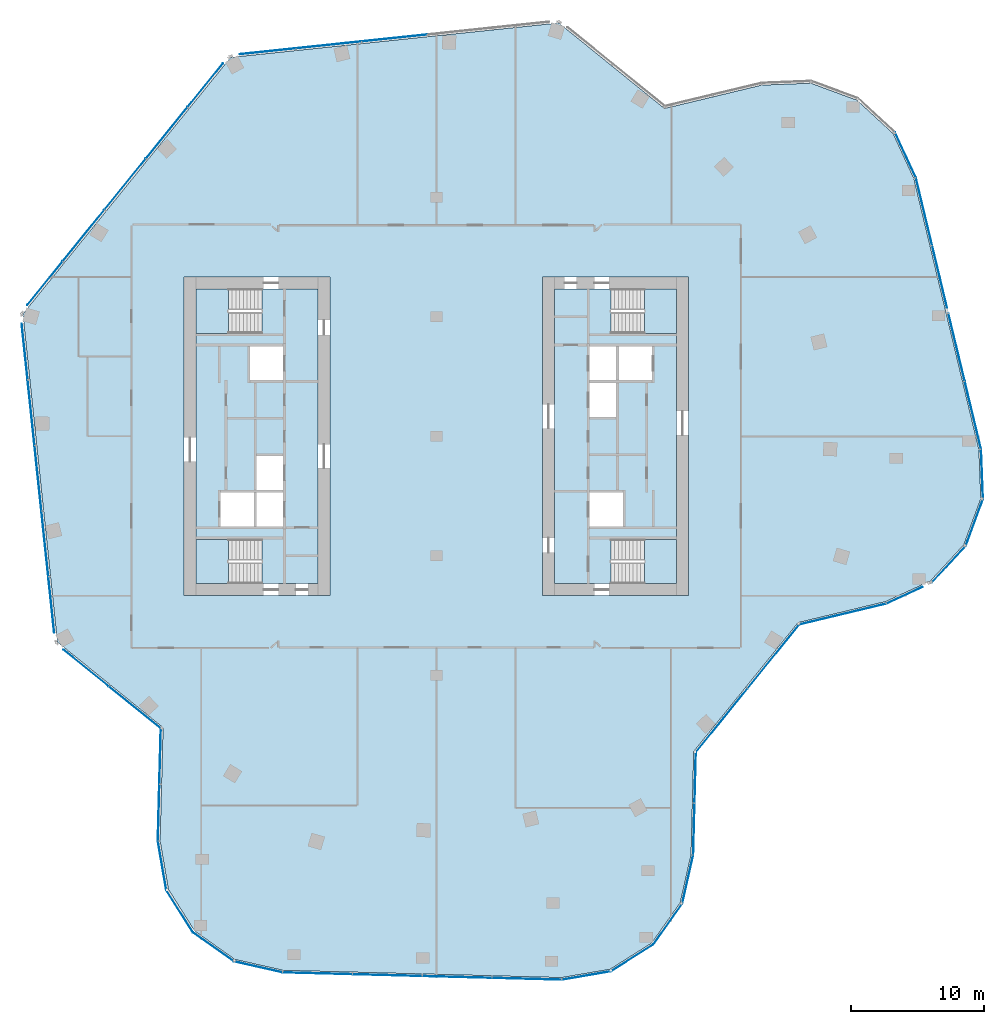
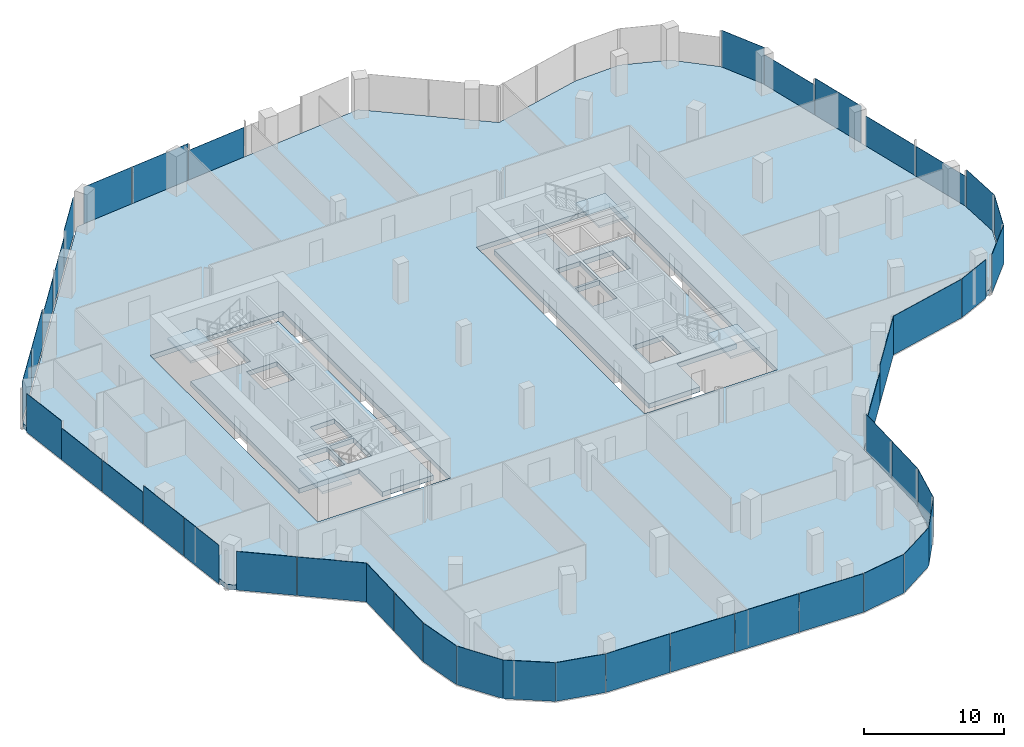
# One storey, part 16 of 23: 43 plates, 7 slabs, 27 elements without a shape of their own.
"""IFC4 building model written with IfcOpenShell, lengths in metres."""

from ifc_helpers import new_model, si_unit, direction, frame, origin, origin_2d, place, context, subcontext, project, spatial, polyline, rectangle, outline, extrude, material, layer, layer_set, type_object, element, aggregate, save


model = new_model("IFC4")

# Units and contexts
model_context = context("Model", 3, precision=1e-05, world=origin(), true_north=direction((0.0, 1.0)))
body_context = subcontext(model_context, "Body", "Model", "MODEL_VIEW")
ifc_project = project(units=[si_unit("LENGTHUNIT", "METRE"), si_unit("AREAUNIT", "SQUARE_METRE"), si_unit("VOLUMEUNIT", "CUBIC_METRE"), si_unit("PLANEANGLEUNIT", "RADIAN"), si_unit("MASSUNIT", "GRAM", prefix="KILO")], contexts=[model_context])

# Site, building, storey
site_placement = place(None, origin())
site = spatial("IfcSite", under=ifc_project, at=site_placement, CompositionType="ELEMENT")
building_placement = place(site_placement, origin())
building = spatial("IfcBuilding", under=site, at=building_placement, Name="Orlundy Tower", CompositionType="ELEMENT")
storey_placement = place(building_placement, frame((0.0, 0.0, 224.5)))
storey = spatial("IfcBuildingStorey", under=building, at=storey_placement, Name="L59", CompositionType="ELEMENT", Elevation=224.5)

# Curtain wall, plates
ifc_material_1 = material(Name="Aluminium bronze anodised", Category="aluminium")
curtain_wall_type = type_object("IfcCurtainWallType", Name="CW1 wall", PredefinedType="NOTDEFINED", material=ifc_material_1)
curtain_wall_1_placement = place(storey_placement, origin())
curtain_wall_1 = element("IfcCurtainWall", 1, at=curtain_wall_1_placement, inside=storey, type_object=curtain_wall_type, Name="CW1 run 00", PredefinedType="NOTDEFINED")
ifc_material_2 = material(Name="Tinted glass", Category="glass")
ifc_layer_1 = layer(ifc_material_2, 0.031982421875)
ifc_layer_set_1 = layer_set([ifc_layer_1], Name="CW1 glass panel 32")
plate_type = type_object("IfcPlateType", Name="CW1 glass panel 32", PredefinedType="CURTAIN_PANEL", material=ifc_layer_set_1)
plate_1_placement = place(storey_placement, frame((-20.9130859375, -28.337158203125, -0.300048828125), z_axis=(0.0, 0.0, 1.0), x_axis=(0.026251208042, 0.999655377656, 0.0)))
plate_1 = element("IfcPlate", 2, at=plate_1_placement, type_object=plate_type, Name="CW1 panel", PredefinedType="CURTAIN_PANEL", context=body_context, shape_type="SweptSolid", body=[
    extrude(rectangle(XDim=4.232421875, YDim=0.031982421875, at=origin_2d()), origin(), (0.0, 0.0, 1.0), 3.3798828125),
])
plate_2_placement = place(storey_placement, frame((-20.8017578125, -24.092041015625, -0.300048828125), z_axis=(0.0, 0.0, 1.0), x_axis=(0.026251208042, 0.999655377656, 0.0)))
plate_2 = element("IfcPlate", 3, at=plate_2_placement, type_object=plate_type, Name="CW1 panel", PredefinedType="CURTAIN_PANEL", context=body_context, shape_type="SweptSolid", body=[
    extrude(rectangle(XDim=4.16064453125, YDim=0.031982421875, at=origin_2d()), origin(), (0.0, 0.0, 1.0), 3.3798828125),
])
aggregate(curtain_wall_1, [plate_1, plate_2])

curtain_wall_2_placement = place(storey_placement, origin())
curtain_wall_2 = element("IfcCurtainWall", 4, at=curtain_wall_2_placement, inside=storey, type_object=curtain_wall_type, Name="CW1 run 01", PredefinedType="NOTDEFINED")
plate_3_placement = place(storey_placement, frame((-22.69482421875, -20.435302734375, -0.300048828125), z_axis=(0.0, 0.0, 1.0), x_axis=(-0.77717662091, 0.629282527892, 0.0)))
plate_3 = element("IfcPlate", 5, at=plate_3_placement, type_object=plate_type, Name="CW1 panel", PredefinedType="CURTAIN_PANEL", context=body_context, shape_type="SweptSolid", body=[
    extrude(rectangle(XDim=5.0126953125, YDim=0.031982421875, at=origin_2d()), origin(), (0.0, 0.0, 1.0), 3.3798828125),
])
plate_4_placement = place(storey_placement, frame((-26.38232421875, -17.44970703125, -0.300048828125), z_axis=(0.0, 0.0, 1.0), x_axis=(-0.77717662091, 0.629282527892, 0.0)))
plate_4 = element("IfcPlate", 6, at=plate_4_placement, type_object=plate_type, Name="CW1 panel", PredefinedType="CURTAIN_PANEL", context=body_context, shape_type="SweptSolid", body=[
    extrude(rectangle(XDim=4.376708984375, YDim=0.031982421875, at=origin_2d()), origin(), (0.0, 0.0, 1.0), 3.3798828125),
])
aggregate(curtain_wall_2, [plate_3, plate_4])

curtain_wall_3_placement = place(storey_placement, origin())
curtain_wall_3 = element("IfcCurtainWall", 7, at=curtain_wall_3_placement, inside=storey, type_object=curtain_wall_type, Name="CW1 run 02", PredefinedType="NOTDEFINED")
plate_5_placement = place(storey_placement, frame((-28.99609375, -12.695556640625, -0.300048828125), z_axis=(0.0, 0.0, 1.0), x_axis=(-0.104538162943, 0.994520875843, 0.0)))
plate_5 = element("IfcPlate", 8, at=plate_5_placement, type_object=plate_type, Name="CW1 panel", PredefinedType="CURTAIN_PANEL", context=body_context, shape_type="SweptSolid", body=[
    extrude(rectangle(XDim=4.228759765625, YDim=0.031982421875, at=origin_2d()), origin(), (0.0, 0.0, 1.0), 3.3798828125),
])
plate_6_placement = place(storey_placement, frame((-29.4794921875, -8.096435546875, -0.300048828125), z_axis=(0.0, 0.0, 1.0), x_axis=(-0.104538162943, 0.994520875843, 0.0)))
plate_6 = element("IfcPlate", 9, at=plate_6_placement, type_object=plate_type, Name="CW1 panel", PredefinedType="CURTAIN_PANEL", context=body_context, shape_type="SweptSolid", body=[
    extrude(rectangle(XDim=4.92041015625, YDim=0.031982421875, at=origin_2d()), origin(), (0.0, 0.0, 1.0), 3.3798828125),
])
plate_7_placement = place(storey_placement, frame((-29.9990234375, -3.153076171875, -0.2998046875), z_axis=(0.0, 0.0, 1.0), x_axis=(-0.104538162943, 0.994520875843, 0.0)))
plate_7 = element("IfcPlate", 10, at=plate_7_placement, type_object=plate_type, Name="CW1 panel", PredefinedType="CURTAIN_PANEL", context=body_context, shape_type="SweptSolid", body=[
    extrude(rectangle(XDim=4.92041015625, YDim=0.031982421875, at=origin_2d()), origin(), (0.0, 0.0, 1.0), 2.763916015625),
])
plate_8_placement = place(storey_placement, frame((-30.518798828125, 1.7900390625, -0.2998046875), z_axis=(0.0, 0.0, 1.0), x_axis=(-0.104538162943, 0.994520875843, 0.0)))
plate_8 = element("IfcPlate", 11, at=plate_8_placement, type_object=plate_type, Name="CW1 panel", PredefinedType="CURTAIN_PANEL", context=body_context, shape_type="SweptSolid", body=[
    extrude(rectangle(XDim=4.92041015625, YDim=0.031982421875, at=origin_2d()), origin(), (0.0, 0.0, 1.0), 2.763916015625),
])
plate_9_placement = place(storey_placement, frame((-31.002197265625, 6.3896484375, -0.300048828125), z_axis=(0.0, 0.0, 1.0), x_axis=(-0.104538162943, 0.994520875843, 0.0)))
plate_9 = element("IfcPlate", 12, at=plate_9_placement, type_object=plate_type, Name="CW1 panel", PredefinedType="CURTAIN_PANEL", context=body_context, shape_type="SweptSolid", body=[
    extrude(rectangle(XDim=4.229248046875, YDim=0.031982421875, at=origin_2d()), origin(), (0.0, 0.0, 1.0), 3.3798828125),
])
aggregate(curtain_wall_3, [plate_5, plate_6, plate_7, plate_8, plate_9])

curtain_wall_4_placement = place(storey_placement, origin())
curtain_wall_4 = element("IfcCurtainWall", 13, at=curtain_wall_4_placement, inside=storey, type_object=curtain_wall_type, Name="CW1 run 03", PredefinedType="NOTDEFINED")
plate_10_placement = place(storey_placement, frame((-29.48046875, 11.525634765625, -0.300048828125), z_axis=(0.0, 0.0, 1.0), x_axis=(0.629320911043, 0.777145540374, 0.0)))
plate_10 = element("IfcPlate", 14, at=plate_10_placement, type_object=plate_type, Name="CW1 panel", PredefinedType="CURTAIN_PANEL", context=body_context, shape_type="SweptSolid", body=[
    extrude(rectangle(XDim=4.228271484375, YDim=0.031982421875, at=origin_2d()), origin(), (0.0, 0.0, 1.0), 3.3798828125),
])
plate_11_placement = place(storey_placement, frame((-26.570068359375, 15.11962890625, -0.300048828125), z_axis=(0.0, 0.0, 1.0), x_axis=(0.629320911043, 0.777145540374, 0.0)))
plate_11 = element("IfcPlate", 15, at=plate_11_placement, type_object=plate_type, Name="CW1 panel", PredefinedType="CURTAIN_PANEL", context=body_context, shape_type="SweptSolid", body=[
    extrude(rectangle(XDim=4.920654296875, YDim=0.031982421875, at=origin_2d()), origin(), (0.0, 0.0, 1.0), 3.3798828125),
])
plate_12_placement = place(storey_placement, frame((-23.44189453125, 18.982666015625, -0.2998046875), z_axis=(0.0, 0.0, 1.0), x_axis=(0.629320911043, 0.777145540374, 0.0)))
plate_12 = element("IfcPlate", 16, at=plate_12_placement, type_object=plate_type, Name="CW1 panel", PredefinedType="CURTAIN_PANEL", context=body_context, shape_type="SweptSolid", body=[
    extrude(rectangle(XDim=4.920654296875, YDim=0.031982421875, at=origin_2d()), origin(), (0.0, 0.0, 1.0), 2.763916015625),
])
plate_13_placement = place(storey_placement, frame((-20.313720703125, 22.845703125, -0.2998046875), z_axis=(0.0, 0.0, 1.0), x_axis=(0.629320911043, 0.777145540374, 0.0)))
plate_13 = element("IfcPlate", 17, at=plate_13_placement, type_object=plate_type, Name="CW1 panel", PredefinedType="CURTAIN_PANEL", context=body_context, shape_type="SweptSolid", body=[
    extrude(rectangle(XDim=4.920654296875, YDim=0.031982421875, at=origin_2d()), origin(), (0.0, 0.0, 1.0), 2.763916015625),
])
plate_14_placement = place(storey_placement, frame((-17.4033203125, 26.43994140625, -0.300048828125), z_axis=(0.0, 0.0, 1.0), x_axis=(0.629320911043, 0.777145540374, 0.0)))
plate_14 = element("IfcPlate", 18, at=plate_14_placement, type_object=plate_type, Name="CW1 panel", PredefinedType="CURTAIN_PANEL", context=body_context, shape_type="SweptSolid", body=[
    extrude(rectangle(XDim=4.22900390625, YDim=0.031982421875, at=origin_2d()), origin(), (0.0, 0.0, 1.0), 3.3798828125),
])
aggregate(curtain_wall_4, [plate_10, plate_11, plate_12, plate_13, plate_14])

curtain_wall_5_placement = place(storey_placement, origin())
curtain_wall_5 = element("IfcCurtainWall", 19, at=curtain_wall_5_placement, inside=storey, type_object=curtain_wall_type, Name="CW1 run 04", PredefinedType="NOTDEFINED")
plate_15_placement = place(storey_placement, frame((-12.695556640625, 28.99609375, -0.300048828125), z_axis=(0.0, 0.0, 1.0), x_axis=(0.994520875843, 0.104538162943, 0.0)))
plate_15 = element("IfcPlate", 20, at=plate_15_placement, type_object=plate_type, Name="CW1 panel", PredefinedType="CURTAIN_PANEL", context=body_context, shape_type="SweptSolid", body=[
    extrude(rectangle(XDim=4.228759765625, YDim=0.031982421875, at=origin_2d()), origin(), (0.0, 0.0, 1.0), 3.3798828125),
])
plate_16_placement = place(storey_placement, frame((-8.096435546875, 29.4794921875, -0.300048828125), z_axis=(0.0, 0.0, 1.0), x_axis=(0.994520875843, 0.104538162943, 0.0)))
plate_16 = element("IfcPlate", 21, at=plate_16_placement, type_object=plate_type, Name="CW1 panel", PredefinedType="CURTAIN_PANEL", context=body_context, shape_type="SweptSolid", body=[
    extrude(rectangle(XDim=4.92041015625, YDim=0.031982421875, at=origin_2d()), origin(), (0.0, 0.0, 1.0), 3.3798828125),
])
plate_17_placement = place(storey_placement, frame((-3.153076171875, 29.9990234375, -0.2998046875), z_axis=(0.0, 0.0, 1.0), x_axis=(0.994520875843, 0.104538162943, 0.0)))
plate_17 = element("IfcPlate", 22, at=plate_17_placement, type_object=plate_type, Name="CW1 panel", PredefinedType="CURTAIN_PANEL", context=body_context, shape_type="SweptSolid", body=[
    extrude(rectangle(XDim=4.92041015625, YDim=0.031982421875, at=origin_2d()), origin(), (0.0, 0.0, 1.0), 2.763916015625),
])
aggregate(curtain_wall_5, [plate_15, plate_16, plate_17])

# Curtain wall, plate
curtain_wall_6_placement = place(storey_placement, origin())
curtain_wall_6 = element("IfcCurtainWall", 23, at=curtain_wall_6_placement, inside=storey, type_object=curtain_wall_type, Name="CW1 run 010", PredefinedType="NOTDEFINED")
plate_18_placement = place(storey_placement, frame((35.32177734375, 21.201416015625, -0.300048828125), z_axis=(0.0, 0.0, 1.0), x_axis=(0.418493445182, -0.908219817192, 0.0)))
plate_18 = element("IfcPlate", 24, at=plate_18_placement, type_object=plate_type, Name="CW1 panel", PredefinedType="CURTAIN_PANEL", context=body_context, shape_type="SweptSolid", body=[
    extrude(rectangle(XDim=3.729736328125, YDim=0.031982421875, at=origin_2d()), origin(), (0.0, 0.0, 1.0), 3.3798828125),
])
aggregate(curtain_wall_6, [plate_18])

# Curtain wall, plates
curtain_wall_7_placement = place(storey_placement, origin())
curtain_wall_7 = element("IfcCurtainWall", 25, at=curtain_wall_7_placement, inside=storey, type_object=curtain_wall_type, Name="CW1 run 011", PredefinedType="NOTDEFINED")
plate_19_placement = place(storey_placement, frame((36.7275390625, 16.924560546875, -0.2998046875), z_axis=(0.0, 0.0, 1.0), x_axis=(0.233472005748, -0.972363523859, 0.0)))
plate_19 = element("IfcPlate", 26, at=plate_19_placement, type_object=plate_type, Name="CW1 panel", PredefinedType="CURTAIN_PANEL", context=body_context, shape_type="SweptSolid", body=[
    extrude(rectangle(XDim=5.216064453125, YDim=0.031982421875, at=origin_2d()), origin(), (0.0, 0.0, 1.0), 2.763916015625),
])
plate_20_placement = place(storey_placement, frame((37.907470703125, 12.010498046875, -0.300048828125), z_axis=(0.0, 0.0, 1.0), x_axis=(0.233472005748, -0.972363523859, 0.0)))
plate_20 = element("IfcPlate", 27, at=plate_20_placement, type_object=plate_type, Name="CW1 panel", PredefinedType="CURTAIN_PANEL", context=body_context, shape_type="SweptSolid", body=[
    extrude(rectangle(XDim=4.79150390625, YDim=0.031982421875, at=origin_2d()), origin(), (0.0, 0.0, 1.0), 3.3798828125),
])
plate_21_placement = place(storey_placement, frame((39.180908203125, 6.706787109375, -0.2998046875), z_axis=(0.0, 0.0, 1.0), x_axis=(0.233472005748, -0.972363523859, 0.0)))
plate_21 = element("IfcPlate", 28, at=plate_21_placement, type_object=plate_type, Name="CW1 panel", PredefinedType="CURTAIN_PANEL", context=body_context, shape_type="SweptSolid", body=[
    extrude(rectangle(XDim=5.2001953125, YDim=0.031982421875, at=origin_2d()), origin(), (0.0, 0.0, 1.0), 2.763916015625),
])
plate_22_placement = place(storey_placement, frame((40.408447265625, 1.593994140625, -0.2998046875), z_axis=(0.0, 0.0, 1.0), x_axis=(0.233472005748, -0.972363523859, 0.0)))
plate_22 = element("IfcPlate", 29, at=plate_22_placement, type_object=plate_type, Name="CW1 panel", PredefinedType="CURTAIN_PANEL", context=body_context, shape_type="SweptSolid", body=[
    extrude(rectangle(XDim=5.216064453125, YDim=0.031982421875, at=origin_2d()), origin(), (0.0, 0.0, 1.0), 2.763916015625),
])
aggregate(curtain_wall_7, [plate_19, plate_20, plate_21, plate_22])

# Curtain wall, plate
curtain_wall_8_placement = place(storey_placement, origin())
curtain_wall_8 = element("IfcCurtainWall", 30, at=curtain_wall_8_placement, inside=storey, type_object=curtain_wall_type, Name="CW1 run 012", PredefinedType="NOTDEFINED")
plate_23_placement = place(storey_placement, frame((41.09716796875, -2.85546875, -0.300048828125), z_axis=(0.0, 0.0, 1.0), x_axis=(0.039116906831, -0.999234640913, 0.0)))
plate_23 = element("IfcPlate", 31, at=plate_23_placement, type_object=plate_type, Name="CW1 panel", PredefinedType="CURTAIN_PANEL", context=body_context, shape_type="SweptSolid", body=[
    extrude(rectangle(XDim=3.73046875, YDim=0.031982421875, at=origin_2d()), origin(), (0.0, 0.0, 1.0), 3.3798828125),
])
aggregate(curtain_wall_8, [plate_23])

curtain_wall_9_placement = place(storey_placement, origin())
curtain_wall_9 = element("IfcCurtainWall", 32, at=curtain_wall_9_placement, inside=storey, type_object=curtain_wall_type, Name="CW1 run 013", PredefinedType="NOTDEFINED")
plate_24_placement = place(storey_placement, frame((40.517333984375, -6.48828125, -0.300048828125), z_axis=(0.0, 0.0, 1.0), x_axis=(-0.346180462863, -0.938167941859, 0.0)))
plate_24 = element("IfcPlate", 33, at=plate_24_placement, type_object=plate_type, Name="CW1 panel", PredefinedType="CURTAIN_PANEL", context=body_context, shape_type="SweptSolid", body=[
    extrude(rectangle(XDim=3.771484375, YDim=0.031982421875, at=origin_2d()), origin(), (0.0, 0.0, 1.0), 3.3798828125),
])
aggregate(curtain_wall_9, [plate_24])

curtain_wall_10_placement = place(storey_placement, origin())
curtain_wall_10 = element("IfcCurtainWall", 34, at=curtain_wall_10_placement, inside=storey, type_object=curtain_wall_type, Name="CW1 run 014", PredefinedType="NOTDEFINED")
plate_25_placement = place(storey_placement, frame((38.58447265625, -9.642333984375, -0.300048828125), z_axis=(0.0, 0.0, 1.0), x_axis=(-0.678772971258, -0.734348182738, 0.0)))
plate_25 = element("IfcPlate", 35, at=plate_25_placement, type_object=plate_type, Name="CW1 panel", PredefinedType="CURTAIN_PANEL", context=body_context, shape_type="SweptSolid", body=[
    extrude(rectangle(XDim=3.77197265625, YDim=0.031982421875, at=origin_2d()), origin(), (0.0, 0.0, 1.0), 3.3798828125),
])
aggregate(curtain_wall_10, [plate_25])

curtain_wall_11_placement = place(storey_placement, origin())
curtain_wall_11 = element("IfcCurtainWall", 36, at=curtain_wall_11_placement, inside=storey, type_object=curtain_wall_type, Name="CW1 run 015", PredefinedType="NOTDEFINED")
plate_26_placement = place(storey_placement, frame((35.26708984375, -11.966552734375, -0.300048828125), z_axis=(0.0, 0.0, 1.0), x_axis=(-0.908117246595, -0.418715973467, 0.0)))
plate_26 = element("IfcPlate", 37, at=plate_26_placement, type_object=plate_type, Name="CW1 panel", PredefinedType="CURTAIN_PANEL", context=body_context, shape_type="SweptSolid", body=[
    extrude(rectangle(XDim=2.973876953125, YDim=0.031982421875, at=origin_2d()), origin(), (0.0, 0.0, 1.0), 3.3798828125),
])
aggregate(curtain_wall_11, [plate_26])

curtain_wall_12_placement = place(storey_placement, origin())
curtain_wall_12 = element("IfcCurtainWall", 38, at=curtain_wall_12_placement, inside=storey, type_object=curtain_wall_type, Name="CW1 run 016", PredefinedType="NOTDEFINED")
plate_27_placement = place(storey_placement, frame((30.6025390625, -13.39013671875, -0.300048828125), z_axis=(0.0, 0.0, 1.0), x_axis=(-0.972363214149, -0.233473295624, 0.0)))
plate_27 = element("IfcPlate", 39, at=plate_27_placement, type_object=plate_type, Name="CW1 panel", PredefinedType="CURTAIN_PANEL", context=body_context, shape_type="SweptSolid", body=[
    extrude(rectangle(XDim=6.719970703125, YDim=0.031982421875, at=origin_2d()), origin(), (0.0, 0.0, 1.0), 3.3798828125),
])
aggregate(curtain_wall_12, [plate_27])

# Curtain wall, plates
curtain_wall_13_placement = place(storey_placement, origin())
curtain_wall_13 = element("IfcCurtainWall", 40, at=curtain_wall_13_placement, inside=storey, type_object=curtain_wall_type, Name="CW1 run 017", PredefinedType="NOTDEFINED")
plate_28_placement = place(storey_placement, frame((25.396240234375, -16.56884765625, -0.300048828125), z_axis=(0.0, 0.0, 1.0), x_axis=(-0.629352582823, -0.777119891969, 0.0)))
plate_28 = element("IfcPlate", 41, at=plate_28_placement, type_object=plate_type, Name="CW1 panel", PredefinedType="CURTAIN_PANEL", context=body_context, shape_type="SweptSolid", body=[
    extrude(rectangle(XDim=6.162353515625, YDim=0.031982421875, at=origin_2d()), origin(), (0.0, 0.0, 1.0), 3.3798828125),
])
plate_29_placement = place(storey_placement, frame((21.486572265625, -21.396484375, -0.2998046875), z_axis=(0.0, 0.0, 1.0), x_axis=(-0.629352582823, -0.777119891969, 0.0)))
plate_29 = element("IfcPlate", 42, at=plate_29_placement, type_object=plate_type, Name="CW1 panel", PredefinedType="CURTAIN_PANEL", context=body_context, shape_type="SweptSolid", body=[
    extrude(rectangle(XDim=6.162353515625, YDim=0.031982421875, at=origin_2d()), origin(), (0.0, 0.0, 1.0), 2.763916015625),
])
aggregate(curtain_wall_13, [plate_28, plate_29])

curtain_wall_14_placement = place(storey_placement, origin())
curtain_wall_14 = element("IfcCurtainWall", 43, at=curtain_wall_14_placement, inside=storey, type_object=curtain_wall_type, Name="CW1 run 018", PredefinedType="NOTDEFINED")
plate_30_placement = place(storey_placement, frame((19.497802734375, -25.696044921875, -0.300048828125), z_axis=(0.0, 0.0, 1.0), x_axis=(-0.026076968311, -0.999659938041, 0.0)))
plate_30 = element("IfcPlate", 44, at=plate_30_placement, type_object=plate_type, Name="CW1 panel", PredefinedType="CURTAIN_PANEL", context=body_context, shape_type="SweptSolid", body=[
    extrude(rectangle(XDim=3.8115234375, YDim=0.031982421875, at=origin_2d()), origin(), (0.0, 0.0, 1.0), 3.3798828125),
])
plate_31_placement = place(storey_placement, frame((19.396484375, -29.579833984375, -0.300048828125), z_axis=(0.0, 0.0, 1.0), x_axis=(-0.026076968311, -0.999659938041, 0.0)))
plate_31 = element("IfcPlate", 45, at=plate_31_placement, type_object=plate_type, Name="CW1 panel", PredefinedType="CURTAIN_PANEL", context=body_context, shape_type="SweptSolid", body=[
    extrude(rectangle(XDim=3.8583984375, YDim=0.031982421875, at=origin_2d()), origin(), (0.0, 0.0, 1.0), 3.3798828125),
])
aggregate(curtain_wall_14, [plate_30, plate_31])

# Curtain wall, plate
curtain_wall_15_placement = place(storey_placement, origin())
curtain_wall_15 = element("IfcCurtainWall", 46, at=curtain_wall_15_placement, inside=storey, type_object=curtain_wall_type, Name="CW1 run 019", PredefinedType="NOTDEFINED")
plate_32_placement = place(storey_placement, frame((18.928466796875, -33.376953125, -0.300048828125), z_axis=(0.0, 0.0, 1.0), x_axis=(-0.220699748267, -0.975341797072, 0.0)))
plate_32 = element("IfcPlate", 47, at=plate_32_placement, type_object=plate_type, Name="CW1 panel", PredefinedType="CURTAIN_PANEL", context=body_context, shape_type="SweptSolid", body=[
    extrude(rectangle(XDim=3.72998046875, YDim=0.031982421875, at=origin_2d()), origin(), (0.0, 0.0, 1.0), 3.3798828125),
])
aggregate(curtain_wall_15, [plate_32])

curtain_wall_16_placement = place(storey_placement, origin())
curtain_wall_16 = element("IfcCurtainWall", 48, at=curtain_wall_16_placement, inside=storey, type_object=curtain_wall_type, Name="CW1 run 020", PredefinedType="NOTDEFINED")
plate_33_placement = place(storey_placement, frame((17.427978515625, -36.736083984375, -0.300048828125), z_axis=(0.0, 0.0, 1.0), x_axis=(-0.577276133281, -0.816548997883, 0.0)))
plate_33 = element("IfcPlate", 49, at=plate_33_placement, type_object=plate_type, Name="CW1 panel", PredefinedType="CURTAIN_PANEL", context=body_context, shape_type="SweptSolid", body=[
    extrude(rectangle(XDim=3.772216796875, YDim=0.031982421875, at=origin_2d()), origin(), (0.0, 0.0, 1.0), 3.3798828125),
])
aggregate(curtain_wall_16, [plate_33])

curtain_wall_17_placement = place(storey_placement, origin())
curtain_wall_17 = element("IfcCurtainWall", 50, at=curtain_wall_17_placement, inside=storey, type_object=curtain_wall_type, Name="CW1 run 021", PredefinedType="NOTDEFINED")
plate_34_placement = place(storey_placement, frame((14.743896484375, -39.28271484375, -0.300048828125), z_axis=(0.0, 0.0, 1.0), x_axis=(-0.845732410351, -0.533607243282, 0.0)))
plate_34 = element("IfcPlate", 51, at=plate_34_placement, type_object=plate_type, Name="CW1 panel", PredefinedType="CURTAIN_PANEL", context=body_context, shape_type="SweptSolid", body=[
    extrude(rectangle(XDim=3.77197265625, YDim=0.031982421875, at=origin_2d()), origin(), (0.0, 0.0, 1.0), 3.3798828125),
])
aggregate(curtain_wall_17, [plate_34])

curtain_wall_18_placement = place(storey_placement, origin())
curtain_wall_18 = element("IfcCurtainWall", 52, at=curtain_wall_18_placement, inside=storey, type_object=curtain_wall_type, Name="CW1 run 022", PredefinedType="NOTDEFINED")
plate_35_placement = place(storey_placement, frame((11.310791015625, -40.605224609375, -0.300048828125), z_axis=(0.0, 0.0, 1.0), x_axis=(-0.985542556373, -0.169428066085, 0.0)))
plate_35 = element("IfcPlate", 53, at=plate_35_placement, type_object=plate_type, Name="CW1 panel", PredefinedType="CURTAIN_PANEL", context=body_context, shape_type="SweptSolid", body=[
    extrude(rectangle(XDim=3.730224609375, YDim=0.031982421875, at=origin_2d()), origin(), (0.0, 0.0, 1.0), 3.3798828125),
])
aggregate(curtain_wall_18, [plate_35])

# Curtain wall, plates
curtain_wall_19_placement = place(storey_placement, origin())
curtain_wall_19 = element("IfcCurtainWall", 54, at=curtain_wall_19_placement, inside=storey, type_object=curtain_wall_type, Name="CW1 run 023", PredefinedType="NOTDEFINED")
plate_36_placement = place(storey_placement, frame((6.815673828125, -40.8564453125, -0.300048828125), z_axis=(0.0, 0.0, 1.0), x_axis=(-0.999656977295, 0.026190222342, 0.0)))
plate_36 = element("IfcPlate", 55, at=plate_36_placement, type_object=plate_type, Name="CW1 panel", PredefinedType="CURTAIN_PANEL", context=body_context, shape_type="SweptSolid", body=[
    extrude(rectangle(XDim=5.216064453125, YDim=0.031982421875, at=origin_2d()), origin(), (0.0, 0.0, 1.0), 3.3798828125),
])
plate_37_placement = place(storey_placement, frame((1.559326171875, -40.71875, -0.300048828125), z_axis=(0.0, 0.0, 1.0), x_axis=(-0.999656977295, 0.026190222342, 0.0)))
plate_37 = element("IfcPlate", 56, at=plate_37_placement, type_object=plate_type, Name="CW1 panel", PredefinedType="CURTAIN_PANEL", context=body_context, shape_type="SweptSolid", body=[
    extrude(rectangle(XDim=5.199951171875, YDim=0.031982421875, at=origin_2d()), origin(), (0.0, 0.0, 1.0), 3.3798828125),
])
plate_38_placement = place(storey_placement, frame((-3.68896484375, -40.581298828125, -0.300048828125), z_axis=(0.0, 0.0, 1.0), x_axis=(-0.999656977295, 0.026190222342, 0.0)))
plate_38 = element("IfcPlate", 57, at=plate_38_placement, type_object=plate_type, Name="CW1 panel", PredefinedType="CURTAIN_PANEL", context=body_context, shape_type="SweptSolid", body=[
    extrude(rectangle(XDim=5.199951171875, YDim=0.031982421875, at=origin_2d()), origin(), (0.0, 0.0, 1.0), 3.3798828125),
])
plate_39_placement = place(storey_placement, frame((-8.945068359375, -40.443603515625, -0.300048828125), z_axis=(0.0, 0.0, 1.0), x_axis=(-0.999656977295, 0.026190222342, 0.0)))
plate_39 = element("IfcPlate", 58, at=plate_39_placement, type_object=plate_type, Name="CW1 panel", PredefinedType="CURTAIN_PANEL", context=body_context, shape_type="SweptSolid", body=[
    extrude(rectangle(XDim=5.216064453125, YDim=0.031982421875, at=origin_2d()), origin(), (0.0, 0.0, 1.0), 3.3798828125),
])
aggregate(curtain_wall_19, [plate_36, plate_37, plate_38, plate_39])

# Curtain wall, plate
curtain_wall_20_placement = place(storey_placement, origin())
curtain_wall_20 = element("IfcCurtainWall", 59, at=curtain_wall_20_placement, inside=storey, type_object=curtain_wall_type, Name="CW1 run 024", PredefinedType="NOTDEFINED")
plate_40_placement = place(storey_placement, frame((-13.4208984375, -39.957275390625, -0.300048828125), z_axis=(0.0, 0.0, 1.0), x_axis=(-0.975341797072, 0.220699748267, 0.0)))
plate_40 = element("IfcPlate", 60, at=plate_40_placement, type_object=plate_type, Name="CW1 panel", PredefinedType="CURTAIN_PANEL", context=body_context, shape_type="SweptSolid", body=[
    extrude(rectangle(XDim=3.72998046875, YDim=0.031982421875, at=origin_2d()), origin(), (0.0, 0.0, 1.0), 3.3798828125),
])
aggregate(curtain_wall_20, [plate_40])

curtain_wall_21_placement = place(storey_placement, origin())
curtain_wall_21 = element("IfcCurtainWall", 61, at=curtain_wall_21_placement, inside=storey, type_object=curtain_wall_type, Name="CW1 run 025", PredefinedType="NOTDEFINED")
plate_41_placement = place(storey_placement, frame((-16.780029296875, -38.45751953125, -0.300048828125), z_axis=(0.0, 0.0, 1.0), x_axis=(-0.816676153518, 0.577096231381, 0.0)))
plate_41 = element("IfcPlate", 62, at=plate_41_placement, type_object=plate_type, Name="CW1 panel", PredefinedType="CURTAIN_PANEL", context=body_context, shape_type="SweptSolid", body=[
    extrude(rectangle(XDim=3.771728515625, YDim=0.031982421875, at=origin_2d()), origin(), (0.0, 0.0, 1.0), 3.3798828125),
])
aggregate(curtain_wall_21, [plate_41])

curtain_wall_22_placement = place(storey_placement, origin())
curtain_wall_22 = element("IfcCurtainWall", 63, at=curtain_wall_22_placement, inside=storey, type_object=curtain_wall_type, Name="CW1 run 026", PredefinedType="NOTDEFINED")
plate_42_placement = place(storey_placement, frame((-19.32666015625, -35.77392578125, -0.300048828125), z_axis=(0.0, 0.0, 1.0), x_axis=(-0.533607243282, 0.845732410351, 0.0)))
plate_42 = element("IfcPlate", 64, at=plate_42_placement, type_object=plate_type, Name="CW1 panel", PredefinedType="CURTAIN_PANEL", context=body_context, shape_type="SweptSolid", body=[
    extrude(rectangle(XDim=3.77197265625, YDim=0.031982421875, at=origin_2d()), origin(), (0.0, 0.0, 1.0), 3.3798828125),
])
aggregate(curtain_wall_22, [plate_42])

curtain_wall_23_placement = place(storey_placement, origin())
curtain_wall_23 = element("IfcCurtainWall", 65, at=curtain_wall_23_placement, inside=storey, type_object=curtain_wall_type, Name="CW1 run 027", PredefinedType="NOTDEFINED")
plate_43_placement = place(storey_placement, frame((-20.649169921875, -32.3408203125, -0.300048828125), z_axis=(0.0, 0.0, 1.0), x_axis=(-0.169428066085, 0.985542556373, 0.0)))
plate_43 = element("IfcPlate", 66, at=plate_43_placement, type_object=plate_type, Name="CW1 panel", PredefinedType="CURTAIN_PANEL", context=body_context, shape_type="SweptSolid", body=[
    extrude(rectangle(XDim=3.730224609375, YDim=0.031982421875, at=origin_2d()), origin(), (0.0, 0.0, 1.0), 3.3798828125),
])
aggregate(curtain_wall_23, [plate_43])

# Slabs
ifc_material_3 = material(Name="Concrete C50/60", Category="concrete")
ifc_layer_2 = layer(ifc_material_3, 0.419921875)
ifc_layer_set_2 = layer_set([ifc_layer_2], Name="Core Floor Slab 420")
slab_type_1 = type_object("IfcSlabType", Name="Core Floor Slab 420", PredefinedType="FLOOR", material=ifc_layer_set_2)
slab_1_placement = place(storey_placement, frame((0.0, 0.0, -0.419921875)))
element("IfcSlab", 67, at=slab_1_placement, inside=storey, type_object=slab_type_1, Name="Core floor W45", PredefinedType="FLOOR", context=body_context, shape_type="SweptSolid", body=[
    extrude(outline(polyline([(-18.10009765625, 7.75), (-13.14501953125, 7.75), (-13.14501953125, 11.10009765625), (-8.89990234375, 11.10009765625), (-8.89990234375, -11.10009765625), (-13.14501953125, -11.10009765625), (-13.14501953125, -7.75), (-18.10009765625, -7.75), (-18.10009765625, 7.75)]), holes=[polyline([(-13.5400390625, -4.22509765625), (-13.5400390625, -6.77490234375), (-11.5400390625, -6.77490234375), (-11.5400390625, -4.22509765625), (-13.5400390625, -4.22509765625)]), polyline([(-13.739990234375, -4.22509765625), (-16.239990234375, -4.22509765625), (-16.239990234375, -6.77490234375), (-13.739990234375, -6.77490234375), (-13.739990234375, -4.22509765625)]), polyline([(-11.5400390625, -4.02490234375), (-11.5400390625, -1.47509765625), (-13.5400390625, -1.47509765625), (-13.5400390625, -4.02490234375), (-11.5400390625, -4.02490234375)]), polyline([(-14.0400390625, 4.22509765625), (-11.5400390625, 4.22509765625), (-11.5400390625, 6.77490234375), (-14.0400390625, 6.77490234375), (-14.0400390625, 4.22509765625)])]), origin(), (0.0, 0.0, 1.0), 0.419921875),
])
slab_2_placement = place(storey_placement, frame((0.0, 0.0, -0.419921875)))
element("IfcSlab", 68, at=slab_2_placement, inside=storey, type_object=slab_type_1, Name="Core floor E45", PredefinedType="FLOOR", context=body_context, shape_type="SweptSolid", body=[
    extrude(outline(polyline([(18.10009765625, -7.75), (13.14501953125, -7.75), (13.14501953125, -11.10009765625), (8.89990234375, -11.10009765625), (8.89990234375, 11.10009765625), (13.14501953125, 11.10009765625), (13.14501953125, 7.75), (18.10009765625, 7.75), (18.10009765625, -7.75)]), holes=[polyline([(13.5400390625, 4.22509765625), (13.5400390625, 6.77490234375), (11.5400390625, 6.77490234375), (11.5400390625, 4.22509765625), (13.5400390625, 4.22509765625)]), polyline([(13.739990234375, 4.22509765625), (16.239990234375, 4.22509765625), (16.239990234375, 6.77490234375), (13.739990234375, 6.77490234375), (13.739990234375, 4.22509765625)]), polyline([(11.5400390625, 4.02490234375), (11.5400390625, 1.47509765625), (13.5400390625, 1.47509765625), (13.5400390625, 4.02490234375), (11.5400390625, 4.02490234375)]), polyline([(14.0400390625, -4.22509765625), (11.5400390625, -4.22509765625), (11.5400390625, -6.77490234375), (14.0400390625, -6.77490234375), (14.0400390625, -4.22509765625)])]), origin(), (0.0, 0.0, 1.0), 0.419921875),
])

# Stair, slab
ifc_material_4 = material(Name="Concrete C50/60", Category="concrete")
stair_type = type_object("IfcStairType", Name="Exit Stair 20 risers", PredefinedType="HALF_TURN_STAIR", material=ifc_material_4)
stair_1_placement = place(storey_placement, origin())
stair_1 = element("IfcStair", 69, at=stair_1_placement, inside=storey, type_object=stair_type, Name="L59 Exit Stair ST-W1", PredefinedType="HALF_TURN_STAIR")
ifc_material_5 = material(Name="Concrete C50/60", Category="concrete")
ifc_layer_3 = layer(ifc_material_5, 0.199951171875)
ifc_layer_set_3 = layer_set([ifc_layer_3], Name="Exit Stair Landing")
slab_type_2 = type_object("IfcSlabType", Name="Exit Stair Landing", PredefinedType="LANDING", material=ifc_layer_set_3)
slab_3_placement = place(storey_placement, frame((0.0, 0.0, 1.550048828125)))
slab_3 = element("IfcSlab", 70, at=slab_3_placement, type_object=slab_type_2, Name="ST-W1 landing 1", PredefinedType="LANDING", context=body_context, shape_type="SweptSolid", body=[
    extrude(outline(polyline([(-15.659912109375, 11.10009765625), (-18.10009765625, 11.10009765625), (-18.10009765625, 7.75), (-15.659912109375, 7.75), (-15.659912109375, 11.10009765625)])), origin(), (0.0, 0.0, 1.0), 0.199951171875),
])
aggregate(stair_1, [slab_3])

stair_2_placement = place(storey_placement, origin())
stair_2 = element("IfcStair", 71, at=stair_2_placement, inside=storey, type_object=stair_type, Name="L59 Exit Stair ST-W2", PredefinedType="HALF_TURN_STAIR")
slab_4_placement = place(storey_placement, frame((0.0, 0.0, 1.550048828125)))
slab_4 = element("IfcSlab", 72, at=slab_4_placement, type_object=slab_type_2, Name="ST-W2 landing 1", PredefinedType="LANDING", context=body_context, shape_type="SweptSolid", body=[
    extrude(outline(polyline([(-15.659912109375, -7.75), (-18.10009765625, -7.75), (-18.10009765625, -11.10009765625), (-15.659912109375, -11.10009765625), (-15.659912109375, -7.75)])), origin(), (0.0, 0.0, 1.0), 0.199951171875),
])
aggregate(stair_2, [slab_4])

stair_3_placement = place(storey_placement, origin())
stair_3 = element("IfcStair", 73, at=stair_3_placement, inside=storey, type_object=stair_type, Name="L59 Exit Stair ST-E1", PredefinedType="HALF_TURN_STAIR")
slab_5_placement = place(storey_placement, frame((0.0, 0.0, 1.550048828125)))
slab_5 = element("IfcSlab", 74, at=slab_5_placement, type_object=slab_type_2, Name="ST-E1 landing 1", PredefinedType="LANDING", context=body_context, shape_type="SweptSolid", body=[
    extrude(outline(polyline([(15.659912109375, -11.10009765625), (18.10009765625, -11.10009765625), (18.10009765625, -7.75), (15.659912109375, -7.75), (15.659912109375, -11.10009765625)])), origin(), (0.0, 0.0, 1.0), 0.199951171875),
])
aggregate(stair_3, [slab_5])

stair_4_placement = place(storey_placement, origin())
stair_4 = element("IfcStair", 75, at=stair_4_placement, inside=storey, type_object=stair_type, Name="L59 Exit Stair ST-E2", PredefinedType="HALF_TURN_STAIR")
slab_6_placement = place(storey_placement, frame((0.0, 0.0, 1.550048828125)))
slab_6 = element("IfcSlab", 76, at=slab_6_placement, type_object=slab_type_2, Name="ST-E2 landing 1", PredefinedType="LANDING", context=body_context, shape_type="SweptSolid", body=[
    extrude(outline(polyline([(15.659912109375, 7.75), (18.10009765625, 7.75), (18.10009765625, 11.10009765625), (15.659912109375, 11.10009765625), (15.659912109375, 7.75)])), origin(), (0.0, 0.0, 1.0), 0.199951171875),
])
aggregate(stair_4, [slab_6])

# Slab
ifc_material_6 = material(Name="Concrete C45/55", Category="concrete")
ifc_layer_4 = layer(ifc_material_6, 0.419921875)
ifc_layer_set_4 = layer_set([ifc_layer_4], Name="TRANSFER FLOOR SLAB 420 C45/55")
slab_type_3 = type_object("IfcSlabType", Name="TRANSFER FLOOR SLAB 420 C45/55", PredefinedType="FLOOR", material=ifc_layer_set_4)
slab_7_placement = place(storey_placement, frame((0.0, 0.0, -0.419921875)))
element("IfcSlab", 77, at=slab_7_placement, inside=storey, type_object=slab_type_3, Name="Floor slab L59", PredefinedType="FLOOR", context=body_context, shape_type="SweptSolid", body=[
    extrude(outline(polyline([(-20.5810546875, -21.93603515625), (-28.537109375, -15.493896484375), (-31.135009765625, 9.221923828125), (-15.493896484375, 28.537109375), (9.221923828125, 31.135009765625), (17.177978515625, 24.69189453125), (24.501953125, 26.450927734375), (28.2060546875, 26.595947265625), (31.68408203125, 25.31298828125), (34.406005859375, 22.797119140625), (35.95703125, 19.430908203125), (40.860107421875, -0.989013671875), (41.0048828125, -4.693115234375), (39.721923828125, -8.169921875), (37.2060546875, -10.89208984375), (33.840087890625, -12.444091796875), (27.242919921875, -14.028076171875), (19.385009765625, -23.73095703125), (19.181884765625, -31.512939453125), (18.364013671875, -35.1279296875), (16.22412109375, -38.155029296875), (13.089111328125, -40.133056640625), (9.43603515625, -40.760986328125), (-11.556884765625, -40.2109375), (-15.172119140625, -39.39306640625), (-18.198974609375, -37.25390625), (-20.177001953125, -34.118896484375), (-20.804931640625, -30.466064453125), (-20.5810546875, -21.93603515625)]), holes=[polyline([(-8.0, -12.0), (-8.0, 12.0), (-19.0, 12.0), (-19.0, -12.0), (-8.0, -12.0)]), polyline([(19.0, -12.0), (19.0, 12.0), (8.0, 12.0), (8.0, -12.0), (19.0, -12.0)])]), origin(), (0.0, 0.0, 1.0), 0.419921875),
])

save(model, "model.ifc")
